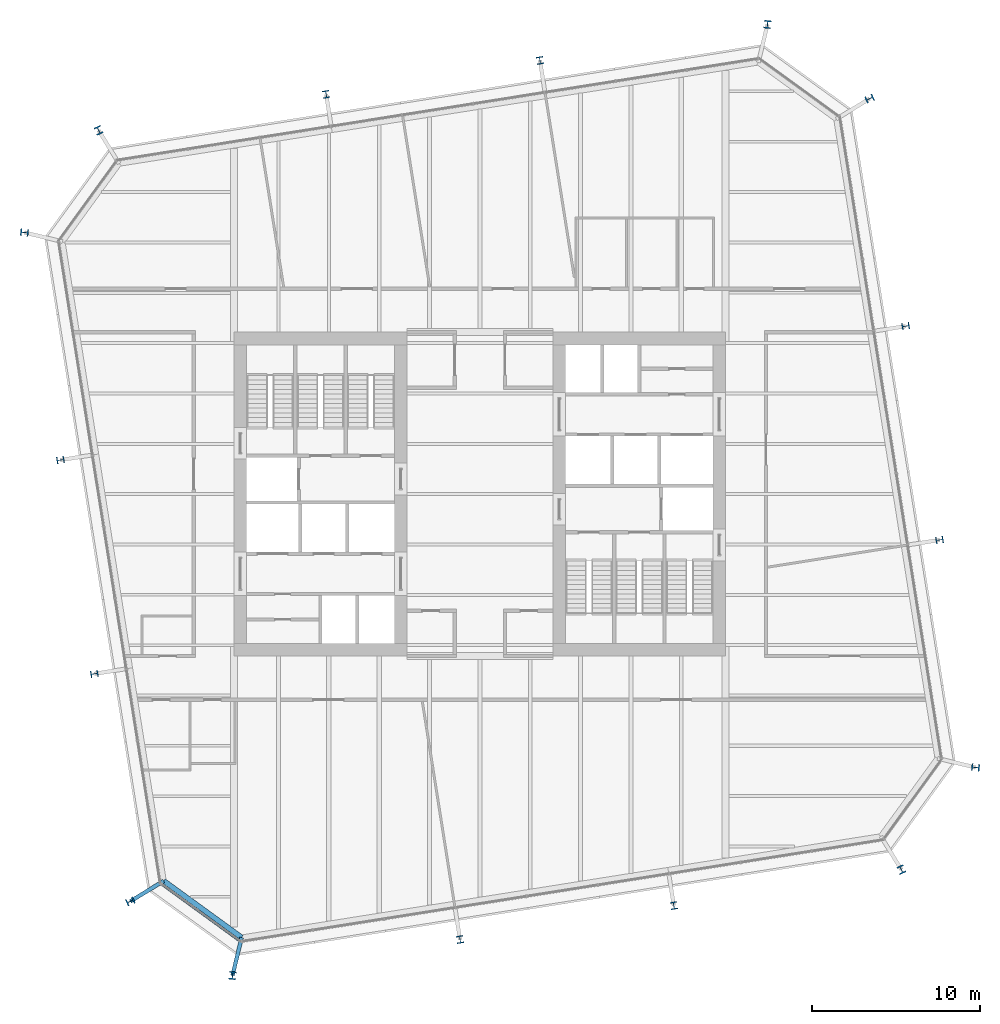
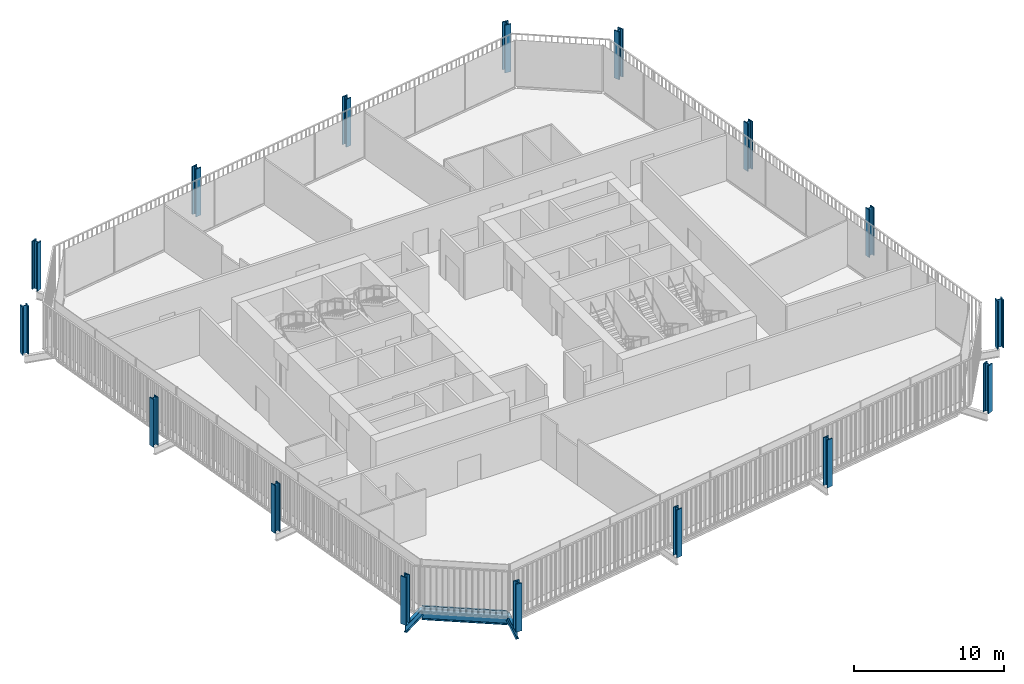
# One storey, part 1 of 21: 16 columns, 3 beams, 1 member, 1 element without a shape of its own.
"""IFC4 building model written with IfcOpenShell, lengths in metres."""

import ifcopenshell
import ifcopenshell.guid

model = None  # the IFC model being written
_history = None  # IfcOwnerHistory: only IFC2X3 demands one
_inside = {}  # id of a spatial element -> (the spatial element, [elements in it])
_under = {}  # id of a project, library or spatial element -> (it, [spatial elements below it])
_declared = {}  # id of a project -> (the project, [libraries it declares])
_typed = {}  # id of a type object -> (the type object, [elements of that type])
_made_of = {}  # id of a material, layer set ... -> (it, [elements and type objects made of it])


def new_model(schema):
    """Start an empty IFC model of exactly this schema.

    Asked for "IFC4X3", IfcOpenShell would pick the latest addendum, in which some entities
    have other attributes; the version numbers below select the first issue.
    IFC2X3 requires an IfcOwnerHistory on every rooted entity: one is made here for all.
    """
    global model, _history
    if schema == "IFC4X3":
        model = ifcopenshell.file(schema_version=(4, 3, 0, 0))
    else:
        model = ifcopenshell.file(schema=schema)
    _inside.clear()
    _under.clear()
    _declared.clear()
    _typed.clear()
    _made_of.clear()
    _history = None
    if model.schema == "IFC2X3":
        org = make("IfcOrganization", Name="unknown")
        user = make(
            "IfcPersonAndOrganization",
            ThePerson=make("IfcPerson", FamilyName="unknown"),
            TheOrganization=org,
        )
        app = make(
            "IfcApplication",
            ApplicationDeveloper=org,
            Version="unknown",
            ApplicationFullName="unknown",
            ApplicationIdentifier="unknown",
        )
        _history = make(
            "IfcOwnerHistory",
            OwningUser=user,
            OwningApplication=app,
            ChangeAction="ADDED",
            CreationDate=0,
        )
    return model


def make(cls, **values):
    """One entity of the class cls with the attributes given. An attribute that is None is left unset."""
    return model.create_entity(
        cls, **{name: value for name, value in values.items() if value is not None}
    )


def rooted(cls, **values):
    """An entity with a GlobalId (a new one), such as an element, a storey or a relation."""
    return make(cls, GlobalId=ifcopenshell.guid.new(), OwnerHistory=_history, **values)


def si_unit(unit_type, name, prefix=None):
    """IfcSIUnit, for example si_unit("LENGTHUNIT", "METRE", prefix="MILLI")."""
    return make("IfcSIUnit", UnitType=unit_type, Prefix=prefix, Name=name)


def assignment(units):
    """IfcUnitAssignment: the units of a project."""
    return None if units is None else make("IfcUnitAssignment", Units=units)


def point(xyz):
    """IfcCartesianPoint."""
    return None if xyz is None else make("IfcCartesianPoint", Coordinates=xyz)


def direction(xyz):
    """IfcDirection."""
    return None if xyz is None else make("IfcDirection", DirectionRatios=xyz)


def frame(location, z_axis=None, x_axis=None):
    """IfcAxis2Placement3D, a coordinate frame: its origin and axes. An axis left out is left unset."""
    return make(
        "IfcAxis2Placement3D",
        Location=point(location),
        Axis=direction(z_axis),
        RefDirection=direction(x_axis),
    )


def frame_2d(location, x_axis=None):
    """IfcAxis2Placement2D, a coordinate frame in the plane: its origin and x axis."""
    return make(
        "IfcAxis2Placement2D", Location=point(location), RefDirection=direction(x_axis)
    )


def origin():
    """The frame at (0, 0, 0) with its axes left unset."""
    return frame((0.0, 0.0, 0.0))


def origin_2d():
    """The frame at (0, 0) in the plane with its x axis left unset."""
    return frame_2d((0.0, 0.0))


def place(relative_to, where):
    """IfcLocalPlacement: puts the frame where relative to a parent placement (None: the world)."""
    return make(
        "IfcLocalPlacement", PlacementRelTo=relative_to, RelativePlacement=where
    )


def context(
    kind, dimensions, precision=None, world=None, true_north=None, identifier=None
):
    """IfcGeometricRepresentationContext, for example the 3D "Model" context."""
    return make(
        "IfcGeometricRepresentationContext",
        ContextIdentifier=identifier,
        ContextType=kind,
        CoordinateSpaceDimension=dimensions,
        Precision=precision,
        WorldCoordinateSystem=world,
        TrueNorth=true_north,
    )


def subcontext(parent, identifier, kind, view, scale=None):
    """IfcGeometricRepresentationSubContext, for example "Body" below "Model"."""
    return make(
        "IfcGeometricRepresentationSubContext",
        ContextIdentifier=identifier,
        ContextType=kind,
        ParentContext=parent,
        TargetScale=scale,
        TargetView=view,
    )


def project(units=None, contexts=None):
    """IfcProject with its units and contexts."""
    return rooted(
        "IfcProject",
        Name="project",
        RepresentationContexts=contexts,
        UnitsInContext=assignment(units),
    )


def spatial(cls, under=None, at=None, **own):
    """A site, building, storey or space (cls), placed at a placement, below another one or the project."""
    s = rooted(cls, ObjectPlacement=at, **own)
    if under is not None:
        _under.setdefault(under.id(), (under, []))[1].append(s)
    return s


def profile(cls, at=None, kind="AREA", **sizes):
    """A parametric profile (cls). Its sizes go by their IFC names, for example OverallWidth=200.0."""
    return make(cls, ProfileType=kind, Position=at, **sizes)


def rectangle(**sizes):
    """IfcRectangleProfileDef."""
    return profile("IfcRectangleProfileDef", **sizes)


def i_section(**sizes):
    """IfcIShapeProfileDef."""
    return profile("IfcIShapeProfileDef", **sizes)


def extrude(swept, where, along, depth):
    """IfcExtrudedAreaSolid: the profile swept, set in the frame where, extruded along a direction by depth."""
    return make(
        "IfcExtrudedAreaSolid",
        SweptArea=swept,
        Position=where,
        ExtrudedDirection=direction(along),
        Depth=depth,
    )


def shape(context_of_items, identifier, shape_type, items):
    """IfcShapeRepresentation: the items that make up one representation, for example the "Body"."""
    return make(
        "IfcShapeRepresentation",
        ContextOfItems=context_of_items,
        RepresentationIdentifier=identifier,
        RepresentationType=shape_type,
        Items=items,
    )


def material(Name=None, Category=None):
    """IfcMaterial."""
    return make("IfcMaterial", Name=Name, Category=Category)


def layer(
    of_material, thickness, ventilated=None, Name=None, Category=None, Priority=None
):
    """IfcMaterialLayer: one layer of a wall or slab, of a material (None: an air gap)."""
    return make(
        "IfcMaterialLayer",
        Material=of_material,
        LayerThickness=thickness,
        IsVentilated=ventilated,
        Name=Name,
        Category=Category,
        Priority=Priority,
    )


def layer_set(layers, Name=None):
    """IfcMaterialLayerSet."""
    return make("IfcMaterialLayerSet", MaterialLayers=layers, LayerSetName=Name)


def material_profile(
    of_material, cross_section, Name=None, Category=None, Priority=None
):
    """IfcMaterialProfile: a cross section and its material."""
    return make(
        "IfcMaterialProfile",
        Name=Name,
        Material=of_material,
        Profile=cross_section,
        Priority=Priority,
        Category=Category,
    )


def profile_set(profiles, Name=None, composite=None):
    """IfcMaterialProfileSet."""
    return make(
        "IfcMaterialProfileSet",
        Name=Name,
        MaterialProfiles=profiles,
        CompositeProfile=composite,
    )


def made_of(thing, what):
    """Note that an element or type object is made of a material, layer set ...; save() writes the relation."""
    if what is not None:
        _made_of.setdefault(what.id(), (what, []))[1].append(thing)
    return thing


def type_object(cls, material=None, **own):
    """A type object (cls), such as IfcWallType, which elements share."""
    return made_of(rooted(cls, **own), material)


def element(
    cls,
    number,
    at=None,
    inside=None,
    cuts=None,
    type_object=None,
    material=None,
    context=None,
    identifier="Body",
    shape_type=None,
    held_by="IfcProductDefinitionShape",
    body=None,
    shapes=None,
    **own,
):
    """One element of the class cls, such as IfcWall. Its Tag is "e" and its number.

    at: its placement. inside: the storey or other place that contains it. cuts: it is an
    opening in that element (IfcRelVoidsElement). A single representation is given by context,
    identifier, shape_type and body (its items); several are given by shapes. held_by: the class
    of the entity that holds the representations. save() writes the other relations.
    """
    e = rooted(cls, Tag="e%d" % number, ObjectPlacement=at, **own)
    if body is not None:
        shapes = [shape(context, identifier, shape_type, body)]
    if shapes is not None:
        e.Representation = make(held_by, Representations=shapes)
    if inside is not None:
        _inside.setdefault(inside.id(), (inside, []))[1].append(e)
    if cuts is not None:
        rooted(
            "IfcRelVoidsElement", RelatingBuildingElement=cuts, RelatedOpeningElement=e
        )
    if type_object is not None:
        _typed.setdefault(type_object.id(), (type_object, []))[1].append(e)
    return made_of(e, material)


def aggregate(whole, parts):
    """IfcRelAggregates: a whole, such as a stair, and the parts it consists of."""
    return rooted("IfcRelAggregates", RelatingObject=whole, RelatedObjects=parts)


def save(model, path):
    """Write the relations noted so far, then the file.

    IfcRelAggregates (storeys below a building ...), IfcRelContainedInSpatialStructure (elements
    in a storey), IfcRelDefinesByType, IfcRelAssociatesMaterial and IfcRelDeclares: one each for
    every whole, place, type object, material and project.
    """
    for whole, parts in _under.values():
        aggregate(whole, parts)
    for where, things in _inside.values():
        rooted(
            "IfcRelContainedInSpatialStructure",
            RelatedElements=things,
            RelatingStructure=where,
        )
    for kind, things in _typed.values():
        rooted("IfcRelDefinesByType", RelatedObjects=things, RelatingType=kind)
    for what, things in _made_of.values():
        rooted("IfcRelAssociatesMaterial", RelatedObjects=things, RelatingMaterial=what)
    for by, libraries in _declared.values():
        rooted("IfcRelDeclares", RelatingContext=by, RelatedDefinitions=libraries)
    model.write(path)


model = new_model("IFC4")

# Units and contexts
model_context = context("Model", 3, precision=1e-05, world=origin(), true_north=direction((0.0, 1.0)))
body_context = subcontext(model_context, "Body", "Model", "MODEL_VIEW")
ifc_project = project(units=[si_unit("LENGTHUNIT", "METRE"), si_unit("AREAUNIT", "SQUARE_METRE"), si_unit("VOLUMEUNIT", "CUBIC_METRE"), si_unit("PLANEANGLEUNIT", "RADIAN"), si_unit("MASSUNIT", "GRAM", prefix="KILO")], contexts=[model_context])

# Site, building, storey
site_placement = place(None, origin())
site = spatial("IfcSite", under=ifc_project, at=site_placement, CompositionType="ELEMENT")
building_placement = place(site_placement, origin())
building = spatial("IfcBuilding", under=site, at=building_placement, Name="Millrace Tower", CompositionType="ELEMENT")
storey_placement = place(building_placement, frame((0.0, 0.0, 156.800048828125)))
storey = spatial("IfcBuildingStorey", under=building, at=storey_placement, Name="L35", CompositionType="ELEMENT", Elevation=156.800048828125)

# Columns
ifc_material_1 = material(Name="Steel ASTM A913 Grade 65", Category="steel")
ifc_material_profile_1 = material_profile(ifc_material_1, i_section(OverallWidth=0.419189453125, OverallDepth=0.45458984375, WebThickness=0.042236328125, FlangeThickness=0.067626953125, FilletRadius=0.01513671875, at=origin_2d()))
ifc_profile_set_1 = profile_set([ifc_material_profile_1], Name="Steel ASTM A913 Grade 65")
column_type_1 = type_object("IfcColumnType", Name="Exoskeleton column W14x370", PredefinedType="COLUMN", material=ifc_profile_set_1)
for number, where, z_axis, x_axis, name in (
    (1, (-1.181396484375, -26.545166015625, 0.0), (0.0, 0.0, 1.0), (0.987688339156, 0.156434474125, 0.0), "COL-C-L35-X03"),
    (2, (11.5595703125, -24.527099609375, 0.0), (0.0, 0.0, 1.0), (0.987688338239, 0.156434479917, 0.0), "COL-C-L35-X04"),
    (3, (27.39501953125, -2.7314453125, 0.0), (0.0, 0.0, 1.0), (-0.156434474125, 0.987688339156, 0.0), "COL-C-L35-X07"),
    (4, (25.376953125, 10.009765625, 0.0), (0.0, 0.0, 1.0), (-0.156434479917, 0.987688338239, 0.0), "COL-C-L35-X08"),
    (5, (3.58154296875, 25.844970703125, 0.0), (0.0, 0.0, 1.0), (-0.987688339156, -0.156434474125, 0.0), "COL-C-L35-X11"),
    (6, (-9.15966796875, 23.8271484375, 0.0), (0.0, 0.0, 1.0), (-0.987688338239, -0.156434479917, 0.0), "COL-C-L35-X12"),
    (7, (-24.9951171875, 2.031494140625, 0.0), (0.0, 0.0, 1.0), (0.156434474125, -0.987688339156, 0.0), "COL-C-L35-X15"),
    (8, (-22.97705078125, -10.709716796875, 0.0), (0.0, 0.0, 1.0), (0.156434479917, -0.987688338239, 0.0), "COL-C-L35-X16"),
):
    element("IfcColumn", number, at=place(storey_placement, frame(where, z_axis=z_axis, x_axis=x_axis)), inside=storey, type_object=column_type_1, Name=name, PredefinedType="COLUMN", context=body_context, shape_type="SweptSolid", body=[
        extrude(i_section(OverallWidth=0.419189453125, OverallDepth=0.45458984375, WebThickness=0.042236328125, FlangeThickness=0.067626953125, FilletRadius=0.01513671875, at=origin_2d()), origin(), (0.0, 0.0, 1.0), 3.89990234375),
    ])
ifc_material_2 = material(Name="Steel ASTM A913 Grade 65", Category="steel")
ifc_material_profile_2 = material_profile(ifc_material_2, i_section(OverallWidth=0.4267578125, OverallDepth=0.482666015625, WebThickness=0.05126953125, FlangeThickness=0.08154296875, FilletRadius=0.01513671875, at=origin_2d()))
ifc_profile_set_2 = profile_set([ifc_material_profile_2], Name="Steel ASTM A913 Grade 65")
column_type_2 = type_object("IfcColumnType", Name="Exoskeleton column W14x455", PredefinedType="COLUMN", material=ifc_profile_set_2)
for number, where, z_axis, x_axis, name in (
    (9, (-20.829345703125, -24.26904296875, 0.0), (0.0, 0.0, 1.0), (0.416401106568, -0.909181015227, 0.0), "COL-C-L35-X01"),
    (10, (-14.740966796875, -28.692626953125, 0.0), (0.0, 0.0, 1.0), (0.993357548409, -0.115068592665, 0.0), "COL-C-L35-X02"),
    (11, (25.119140625, -22.37939453125, 0.0), (0.0, 0.0, 1.0), (0.909181015227, 0.416401106568, 0.0), "COL-C-L35-X05"),
    (12, (29.542724609375, -16.291015625, 0.0), (0.0, 0.0, 1.0), (0.115068592665, 0.993357548409, 0.0), "COL-C-L35-X06"),
    (13, (23.2294921875, 23.569091796875, 0.0), (0.0, 0.0, 1.0), (-0.416401106568, 0.909181015227, 0.0), "COL-C-L35-X09"),
    (14, (17.140869140625, 27.99267578125, 0.0), (0.0, 0.0, 1.0), (-0.993357548409, 0.115068592665, 0.0), "COL-C-L35-X10"),
    (15, (-22.718994140625, 21.679443359375, 0.0), (0.0, 0.0, 1.0), (-0.909181015227, -0.416401106568, 0.0), "COL-C-L35-X13"),
    (16, (-27.142578125, 15.5908203125, 0.0), (0.0, 0.0, 1.0), (-0.115068592665, -0.993357548409, 0.0), "COL-C-L35-X14"),
):
    element("IfcColumn", number, at=place(storey_placement, frame(where, z_axis=z_axis, x_axis=x_axis)), inside=storey, type_object=column_type_2, Name=name, PredefinedType="COLUMN", context=body_context, shape_type="SweptSolid", body=[
        extrude(i_section(OverallWidth=0.4267578125, OverallDepth=0.482666015625, WebThickness=0.05126953125, FlangeThickness=0.08154296875, FilletRadius=0.01513671875, at=origin_2d()), origin(), (0.0, 0.0, 1.0), 3.89990234375),
    ])

# Curtain wall, member
ifc_material_3 = material(Name="Aluminium and glass", Category="aluminium")
ifc_layer = layer(ifc_material_3, 0.14990234375)
ifc_layer_set = layer_set([ifc_layer], Name="Aluminium and glass")
curtain_wall_type = type_object("IfcCurtainWallType", Name="CW-1 office vision curtain wall", PredefinedType="NOTDEFINED", material=ifc_layer_set)
curtain_wall_placement = place(storey_placement, origin())
curtain_wall = element("IfcCurtainWall", 17, at=curtain_wall_placement, inside=storey, type_object=curtain_wall_type, Name="Curtain wall C-F01 L35", PredefinedType="NOTDEFINED")
ifc_material_4 = material(Name="Aluminium", Category="aluminium")
ifc_material_profile_3 = material_profile(ifc_material_4, rectangle(XDim=0.14990234375, YDim=0.139892578125, at=origin_2d()))
ifc_profile_set_3 = profile_set([ifc_material_profile_3], Name="Aluminium")
member_type = type_object("IfcMemberType", Name="CW-1 office vision curtain wall transom", PredefinedType="USERDEFINED", material=ifc_profile_set_3)
member_placement = place(storey_placement, frame((-18.94677734375, -23.25732421875, 0.070068359375), z_axis=(0.808998591139, -0.587810581339, 0.0), x_axis=(0.587810581339, 0.808998591139, 0.0)))
member = element("IfcMember", 18, at=member_placement, type_object=member_type, Name="CW1 transom C-F01.1", ObjectType="TRANSOM", PredefinedType="USERDEFINED", context=body_context, shape_type="SweptSolid", body=[
    extrude(rectangle(XDim=0.14990234375, YDim=0.139892578125, at=origin_2d()), origin(), (0.0, 0.0, 1.0), 5.6689453125),
])
aggregate(curtain_wall, [member])

# Beams
ifc_material_5 = material(Name="Steel ASTM A992 Grade 50", Category="steel")
ifc_material_profile_4 = material_profile(ifc_material_5, i_section(OverallWidth=0.23046875, OverallDepth=0.6171875, WebThickness=0.01318359375, FlangeThickness=0.022216796875, FilletRadius=0.012939453125, at=origin_2d()))
ifc_profile_set_4 = profile_set([ifc_material_profile_4], Name="Steel ASTM A992 Grade 50")
beam_type_1 = type_object("IfcBeamType", Name="Link beam W24x94", PredefinedType="BEAM", material=ifc_profile_set_4)
for number, where, z_axis, x_axis, name in (
    (19, (-18.841796875, -23.051025390625, -0.46875), (-0.852631355792, -0.522512938711, 0.0), (0.522512938711, -0.852631355792, 0.0), "LNK-C-L35-S1-01"),
    (20, (-14.19677734375, -26.426025390625, -0.46875), (-0.233456138164, -0.972367333652, 0.0), (0.972367333652, -0.233456138164, 0.0), "LNK-C-L35-S1-16"),
):
    element("IfcBeam", number, at=place(storey_placement, frame(where, z_axis=z_axis, x_axis=x_axis)), inside=storey, type_object=beam_type_1, Name=name, PredefinedType="BEAM", context=body_context, shape_type="SweptSolid", body=[
        extrude(i_section(OverallWidth=0.23046875, OverallDepth=0.6171875, WebThickness=0.01318359375, FlangeThickness=0.022216796875, FilletRadius=0.012939453125, at=origin_2d()), origin(), (0.0, 0.0, 1.0), 2.3310546875),
    ])
ifc_material_6 = material(Name="Steel ASTM A992 Grade 50", Category="steel")
ifc_material_profile_5 = material_profile(ifc_material_6, i_section(OverallWidth=0.307373046875, OverallDepth=0.927001953125, WebThickness=0.01953125, FlangeThickness=0.031982421875, FilletRadius=0.01904296875, at=origin_2d()))
ifc_profile_set_5 = profile_set([ifc_material_profile_5], Name="Steel ASTM A992 Grade 50")
beam_type_2 = type_object("IfcBeamType", Name="Ring beam short span W36x194", PredefinedType="SPANDREL", material=ifc_profile_set_5)
beam_placement = place(storey_placement, frame((-14.19677734375, -26.426025390625, -0.62353515625), z_axis=(-0.80900078054, 0.587807568074, 0.0), x_axis=(-0.587807568074, -0.80900078054, 0.0)))
element("IfcBeam", 21, at=beam_placement, inside=storey, type_object=beam_type_2, Name="RNG-C-L35-S1-16", PredefinedType="SPANDREL", context=body_context, shape_type="SweptSolid", body=[
    extrude(i_section(OverallWidth=0.307373046875, OverallDepth=0.927001953125, WebThickness=0.01953125, FlangeThickness=0.031982421875, FilletRadius=0.01904296875, at=origin_2d()), origin(), (0.0, 0.0, 1.0), 5.74169921875),
])

save(model, "model.ifc")
